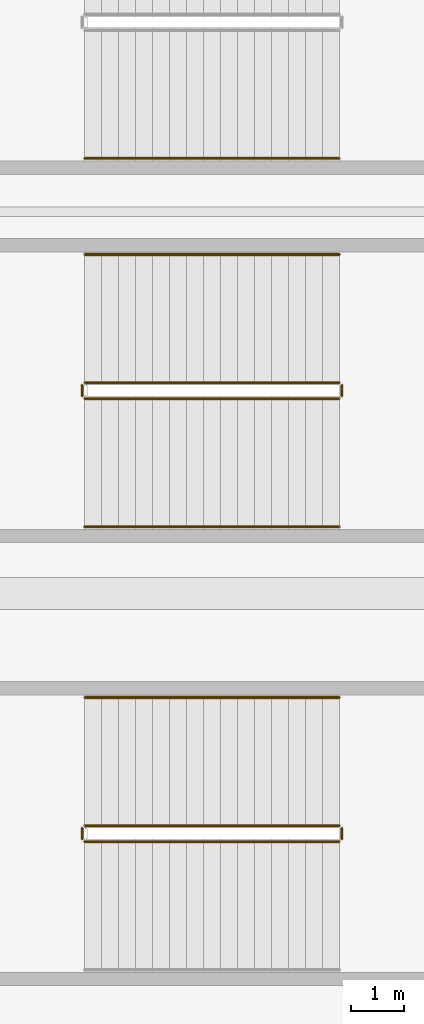
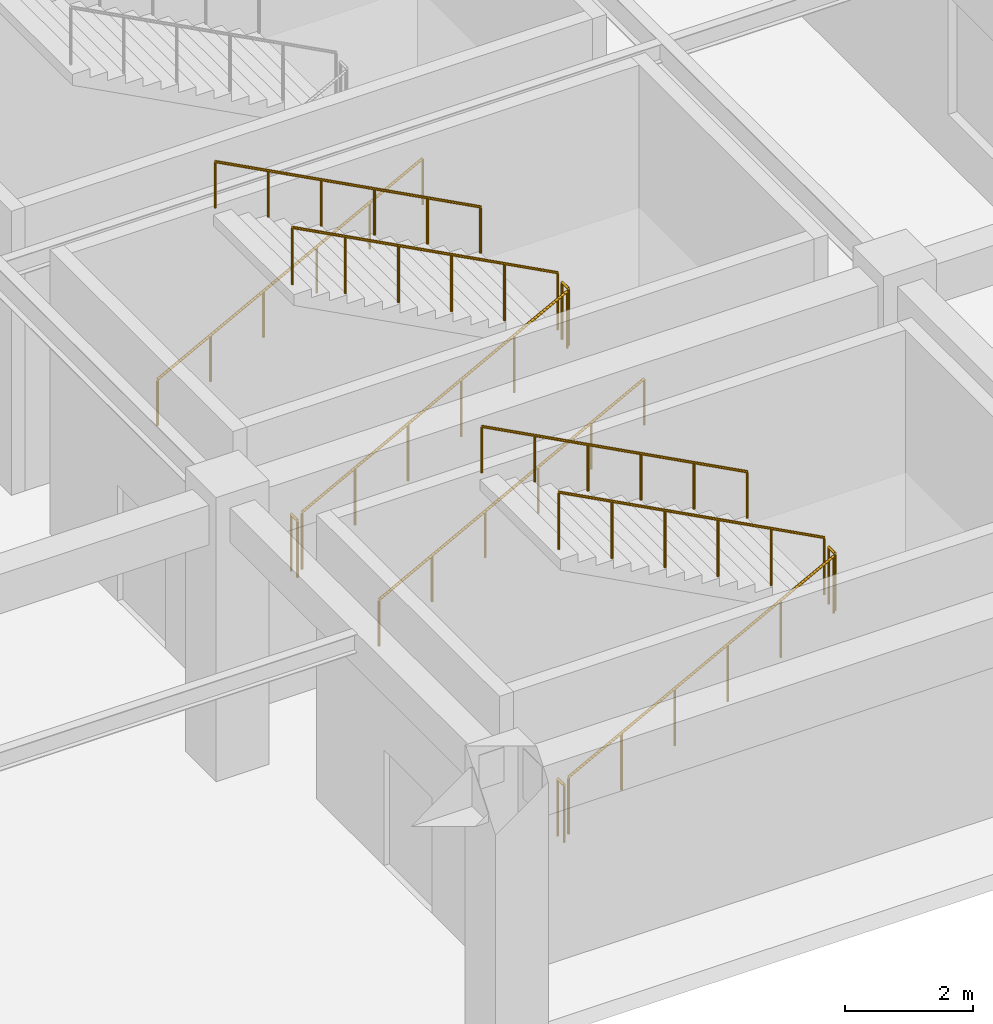
# One storey, part 113 of 120: 12 railings.
"""IFC4 building model written with IfcOpenShell, lengths in metres."""

from ifc_helpers import new_model, si_unit, direction, frame, origin, origin_2d, place, context, subcontext, project, spatial, circle, extrude, material, type_object, element, save


model = new_model("IFC4")

# Units and contexts
model_context = context("Model", 3, precision=1e-05, world=origin(), true_north=direction((0.0, 1.0)))
body_context = subcontext(model_context, "Body", "Model", "MODEL_VIEW")
ifc_project = project(units=[si_unit("LENGTHUNIT", "METRE"), si_unit("AREAUNIT", "SQUARE_METRE"), si_unit("VOLUMEUNIT", "CUBIC_METRE"), si_unit("PLANEANGLEUNIT", "RADIAN"), si_unit("MASSUNIT", "GRAM", prefix="KILO")], contexts=[model_context])

# Site, building, storey
site_placement = place(None, origin())
site = spatial("IfcSite", under=ifc_project, at=site_placement, CompositionType="ELEMENT")
building_placement = place(site_placement, origin())
building = spatial("IfcBuilding", under=site, at=building_placement, Name="Cuetzalor Civic Arena", CompositionType="ELEMENT")
storey_placement = place(building_placement, frame((0.0, 0.0, 6.0)))
storey = spatial("IfcBuildingStorey", under=building, at=storey_placement, Name="L01", CompositionType="ELEMENT", Elevation=6.0)

# Railings
ifc_material_1 = material(Name="Reseda-green architectural Steel S355 balustrade", Category="steel")
railing_type_1 = type_object("IfcRailingType", Name="InteriorVoidBalustrade_1100", PredefinedType="BALUSTRADE", material=ifc_material_1)
railing_1_placement = place(storey_placement, frame((67.449951171875, -52.949951171875, 0.168701171875)))
element("IfcRailing", 1, at=railing_1_placement, inside=storey, type_object=railing_type_1, Name="L01 ST-18 stair guard 1", PredefinedType="BALUSTRADE", context=body_context, shape_type="SweptSolid", body=[
    extrude(circle(Radius=0.02392578125, at=origin_2d()), frame((0.0, 0.0, 1.0810546875), z_axis=(0.883332211103, 0.0, 0.468747485143), x_axis=(0.0, 1.0, 0.0)), (0.0, 0.0, 1.0), 5.400146484375),
    extrude(circle(Radius=0.02099609375, at=origin_2d()), origin(), (0.0, 0.0, 1.0), 1.056884765625),
    extrude(circle(Radius=0.02099609375, at=origin_2d()), frame((0.9541015625, 0.0, 0.50634765625)), (0.0, 0.0, 1.0), 1.056884765625),
    extrude(circle(Radius=0.02099609375, at=origin_2d()), frame((1.907958984375, 0.0, 1.012451171875)), (0.0, 0.0, 1.0), 1.056884765625),
    extrude(circle(Radius=0.02099609375, at=origin_2d()), frame((2.862060546875, 0.0, 1.518798828125)), (0.0, 0.0, 1.0), 1.056884765625),
    extrude(circle(Radius=0.02099609375, at=origin_2d()), frame((3.81591796875, 0.0, 2.02490234375)), (0.0, 0.0, 1.0), 1.056884765625),
    extrude(circle(Radius=0.02099609375, at=origin_2d()), frame((4.77001953125, 0.0, 2.53125)), (0.0, 0.0, 1.0), 1.056884765625),
])
railing_2_placement = place(storey_placement, frame((72.27001953125, -52.89990234375, 2.699951171875)))
element("IfcRailing", 2, at=railing_2_placement, inside=storey, type_object=railing_type_1, Name="L01 ST-18 stair guard 2", PredefinedType="BALUSTRADE", context=body_context, shape_type="SweptSolid", body=[
    extrude(circle(Radius=0.02392578125, at=origin_2d()), frame((0.0, 0.0, 1.0810546875), z_axis=(0.0, 1.0, 0.0), x_axis=(-1.0, 0.0, 0.0)), (0.0, 0.0, 1.0), 0.199951171875),
    extrude(circle(Radius=0.02099609375, at=origin_2d()), origin(), (0.0, 0.0, 1.0), 1.056884765625),
    extrude(circle(Radius=0.02099609375, at=origin_2d()), frame((0.0, 0.199951171875, 0.0)), (0.0, 0.0, 1.0), 1.056884765625),
])
railing_3_placement = place(storey_placement, frame((72.219970703125, -52.64990234375, 2.86865234375)))
element("IfcRailing", 3, at=railing_3_placement, inside=storey, type_object=railing_type_1, Name="L01 ST-18 stair guard 3", PredefinedType="BALUSTRADE", context=body_context, shape_type="SweptSolid", body=[
    extrude(circle(Radius=0.02392578125, at=origin_2d()), frame((0.0, 0.0, 1.0810546875), z_axis=(-0.883332211103, 0.0, 0.468747485143), x_axis=(0.0, -1.0, 0.0)), (0.0, 0.0, 1.0), 5.400146484375),
    extrude(circle(Radius=0.02099609375, at=origin_2d()), origin(), (0.0, 0.0, 1.0), 1.056884765625),
    extrude(circle(Radius=0.02099609375, at=origin_2d()), frame((-0.9541015625, 0.0, 0.50634765625)), (0.0, 0.0, 1.0), 1.056884765625),
    extrude(circle(Radius=0.02099609375, at=origin_2d()), frame((-1.907958984375, 0.0, 1.012451171875)), (0.0, 0.0, 1.0), 1.056884765625),
    extrude(circle(Radius=0.02099609375, at=origin_2d()), frame((-2.862060546875, 0.0, 1.518798828125)), (0.0, 0.0, 1.0), 1.056884765625),
    extrude(circle(Radius=0.02099609375, at=origin_2d()), frame((-3.81591796875, 0.0, 2.02490234375)), (0.0, 0.0, 1.0), 1.056884765625),
    extrude(circle(Radius=0.02099609375, at=origin_2d()), frame((-4.77001953125, 0.0, 2.53125)), (0.0, 0.0, 1.0), 1.056884765625),
])
railing_4_placement = place(storey_placement, frame((67.39990234375, -52.89990234375, 0.0)))
element("IfcRailing", 4, at=railing_4_placement, inside=storey, type_object=railing_type_1, Name="L01 ST-18 stair guard 4", PredefinedType="BALUSTRADE", context=body_context, shape_type="SweptSolid", body=[
    extrude(circle(Radius=0.02392578125, at=origin_2d()), frame((0.0, 0.0, 1.0810546875), z_axis=(0.0, 1.0, 0.0), x_axis=(-1.0, 0.0, 0.0)), (0.0, 0.0, 1.0), 0.199951171875),
    extrude(circle(Radius=0.02099609375, at=origin_2d()), origin(), (0.0, 0.0, 1.0), 1.056884765625),
    extrude(circle(Radius=0.02099609375, at=origin_2d()), frame((0.0, 0.199951171875, 0.0)), (0.0, 0.0, 1.0), 1.056884765625),
])
railing_5_placement = place(storey_placement, frame((67.449951171875, -44.64990234375, 0.168701171875)))
element("IfcRailing", 5, at=railing_5_placement, inside=storey, type_object=railing_type_1, Name="L01 ST-19 stair guard 1", PredefinedType="BALUSTRADE", context=body_context, shape_type="SweptSolid", body=[
    extrude(circle(Radius=0.02392578125, at=origin_2d()), frame((0.0, 0.0, 1.0810546875), z_axis=(0.883332211103, 0.0, 0.468747485143), x_axis=(0.0, 1.0, 0.0)), (0.0, 0.0, 1.0), 5.400146484375),
    extrude(circle(Radius=0.02099609375, at=origin_2d()), origin(), (0.0, 0.0, 1.0), 1.056884765625),
    extrude(circle(Radius=0.02099609375, at=origin_2d()), frame((0.9541015625, 0.0, 0.50634765625)), (0.0, 0.0, 1.0), 1.056884765625),
    extrude(circle(Radius=0.02099609375, at=origin_2d()), frame((1.907958984375, 0.0, 1.012451171875)), (0.0, 0.0, 1.0), 1.056884765625),
    extrude(circle(Radius=0.02099609375, at=origin_2d()), frame((2.862060546875, 0.0, 1.518798828125)), (0.0, 0.0, 1.0), 1.056884765625),
    extrude(circle(Radius=0.02099609375, at=origin_2d()), frame((3.81591796875, 0.0, 2.02490234375)), (0.0, 0.0, 1.0), 1.056884765625),
    extrude(circle(Radius=0.02099609375, at=origin_2d()), frame((4.77001953125, 0.0, 2.53125)), (0.0, 0.0, 1.0), 1.056884765625),
])
railing_6_placement = place(storey_placement, frame((72.27001953125, -44.60009765625, 2.699951171875)))
element("IfcRailing", 6, at=railing_6_placement, inside=storey, type_object=railing_type_1, Name="L01 ST-19 stair guard 2", PredefinedType="BALUSTRADE", context=body_context, shape_type="SweptSolid", body=[
    extrude(circle(Radius=0.02392578125, at=origin_2d()), frame((0.0, 0.0, 1.0810546875), z_axis=(0.0, 1.0, 0.0), x_axis=(-1.0, 0.0, 0.0)), (0.0, 0.0, 1.0), 0.2001953125),
    extrude(circle(Radius=0.02099609375, at=origin_2d()), origin(), (0.0, 0.0, 1.0), 1.056884765625),
    extrude(circle(Radius=0.02099609375, at=origin_2d()), frame((0.0, 0.2001953125, 0.0)), (0.0, 0.0, 1.0), 1.056884765625),
])
railing_7_placement = place(storey_placement, frame((72.219970703125, -44.35009765625, 2.86865234375)))
element("IfcRailing", 7, at=railing_7_placement, inside=storey, type_object=railing_type_1, Name="L01 ST-19 stair guard 3", PredefinedType="BALUSTRADE", context=body_context, shape_type="SweptSolid", body=[
    extrude(circle(Radius=0.02392578125, at=origin_2d()), frame((0.0, 0.0, 1.0810546875), z_axis=(-0.883332211103, 0.0, 0.468747485143), x_axis=(0.0, -1.0, 0.0)), (0.0, 0.0, 1.0), 5.400146484375),
    extrude(circle(Radius=0.02099609375, at=origin_2d()), origin(), (0.0, 0.0, 1.0), 1.056884765625),
    extrude(circle(Radius=0.02099609375, at=origin_2d()), frame((-0.9541015625, 0.0, 0.50634765625)), (0.0, 0.0, 1.0), 1.056884765625),
    extrude(circle(Radius=0.02099609375, at=origin_2d()), frame((-1.907958984375, 0.0, 1.012451171875)), (0.0, 0.0, 1.0), 1.056884765625),
    extrude(circle(Radius=0.02099609375, at=origin_2d()), frame((-2.862060546875, 0.0, 1.518798828125)), (0.0, 0.0, 1.0), 1.056884765625),
    extrude(circle(Radius=0.02099609375, at=origin_2d()), frame((-3.81591796875, 0.0, 2.02490234375)), (0.0, 0.0, 1.0), 1.056884765625),
    extrude(circle(Radius=0.02099609375, at=origin_2d()), frame((-4.77001953125, 0.0, 2.53125)), (0.0, 0.0, 1.0), 1.056884765625),
])
railing_8_placement = place(storey_placement, frame((67.39990234375, -44.60009765625, 0.0)))
element("IfcRailing", 8, at=railing_8_placement, inside=storey, type_object=railing_type_1, Name="L01 ST-19 stair guard 4", PredefinedType="BALUSTRADE", context=body_context, shape_type="SweptSolid", body=[
    extrude(circle(Radius=0.02392578125, at=origin_2d()), frame((0.0, 0.0, 1.0810546875), z_axis=(0.0, 1.0, 0.0), x_axis=(-1.0, 0.0, 0.0)), (0.0, 0.0, 1.0), 0.2001953125),
    extrude(circle(Radius=0.02099609375, at=origin_2d()), origin(), (0.0, 0.0, 1.0), 1.056884765625),
    extrude(circle(Radius=0.02099609375, at=origin_2d()), frame((0.0, 0.2001953125, 0.0)), (0.0, 0.0, 1.0), 1.056884765625),
])
ifc_material_2 = material(Name="Galvanised steel S355", Category="steel")
railing_type_2 = type_object("IfcRailingType", Name="StairPitchHandrail_900", PredefinedType="HANDRAIL", material=ifc_material_2)
railing_9_placement = place(storey_placement, frame((72.219970703125, -50.25, 2.86865234375)))
element("IfcRailing", 9, at=railing_9_placement, inside=storey, type_object=railing_type_2, Name="L01 ST-18 stair handrail 2", PredefinedType="HANDRAIL", context=body_context, shape_type="SweptSolid", body=[
    extrude(circle(Radius=0.02392578125, at=origin_2d()), frame((0.0, 0.0, 0.8759765625), z_axis=(-0.883332211103, 0.0, 0.468747485143), x_axis=(0.0, -1.0, 0.0)), (0.0, 0.0, 1.0), 5.400146484375),
    extrude(circle(Radius=0.02099609375, at=origin_2d()), origin(), (0.0, 0.0, 1.0), 0.851806640625),
    extrude(circle(Radius=0.02099609375, at=origin_2d()), frame((-0.9541015625, 0.0, 0.50634765625)), (0.0, 0.0, 1.0), 0.851806640625),
    extrude(circle(Radius=0.02099609375, at=origin_2d()), frame((-1.907958984375, 0.0, 1.012451171875)), (0.0, 0.0, 1.0), 0.851806640625),
    extrude(circle(Radius=0.02099609375, at=origin_2d()), frame((-2.862060546875, 0.0, 1.518798828125)), (0.0, 0.0, 1.0), 0.851806640625),
    extrude(circle(Radius=0.02099609375, at=origin_2d()), frame((-3.81591796875, 0.0, 2.02490234375)), (0.0, 0.0, 1.0), 0.851806640625),
    extrude(circle(Radius=0.02099609375, at=origin_2d()), frame((-4.77001953125, 0.0, 2.53125)), (0.0, 0.0, 1.0), 0.851806640625),
])
railing_10_placement = place(storey_placement, frame((67.449951171875, -47.050048828125, 0.168701171875)))
element("IfcRailing", 10, at=railing_10_placement, inside=storey, type_object=railing_type_2, Name="L01 ST-19 stair handrail 1", PredefinedType="HANDRAIL", context=body_context, shape_type="SweptSolid", body=[
    extrude(circle(Radius=0.02392578125, at=origin_2d()), frame((0.0, 0.0, 0.8759765625), z_axis=(0.883332211103, 0.0, 0.468747485143), x_axis=(0.0, 1.0, 0.0)), (0.0, 0.0, 1.0), 5.400146484375),
    extrude(circle(Radius=0.02099609375, at=origin_2d()), origin(), (0.0, 0.0, 1.0), 0.851806640625),
    extrude(circle(Radius=0.02099609375, at=origin_2d()), frame((0.9541015625, 0.0, 0.50634765625)), (0.0, 0.0, 1.0), 0.851806640625),
    extrude(circle(Radius=0.02099609375, at=origin_2d()), frame((1.907958984375, 0.0, 1.012451171875)), (0.0, 0.0, 1.0), 0.851806640625),
    extrude(circle(Radius=0.02099609375, at=origin_2d()), frame((2.862060546875, 0.0, 1.518798828125)), (0.0, 0.0, 1.0), 0.851806640625),
    extrude(circle(Radius=0.02099609375, at=origin_2d()), frame((3.81591796875, 0.0, 2.02490234375)), (0.0, 0.0, 1.0), 0.851806640625),
    extrude(circle(Radius=0.02099609375, at=origin_2d()), frame((4.77001953125, 0.0, 2.53125)), (0.0, 0.0, 1.0), 0.851806640625),
])
railing_11_placement = place(storey_placement, frame((72.219970703125, -41.949951171875, 2.86865234375)))
element("IfcRailing", 11, at=railing_11_placement, inside=storey, type_object=railing_type_2, Name="L01 ST-19 stair handrail 2", PredefinedType="HANDRAIL", context=body_context, shape_type="SweptSolid", body=[
    extrude(circle(Radius=0.02392578125, at=origin_2d()), frame((0.0, 0.0, 0.8759765625), z_axis=(-0.883332211103, 0.0, 0.468747485143), x_axis=(0.0, -1.0, 0.0)), (0.0, 0.0, 1.0), 5.400146484375),
    extrude(circle(Radius=0.02099609375, at=origin_2d()), origin(), (0.0, 0.0, 1.0), 0.851806640625),
    extrude(circle(Radius=0.02099609375, at=origin_2d()), frame((-0.9541015625, 0.0, 0.50634765625)), (0.0, 0.0, 1.0), 0.851806640625),
    extrude(circle(Radius=0.02099609375, at=origin_2d()), frame((-1.907958984375, 0.0, 1.012451171875)), (0.0, 0.0, 1.0), 0.851806640625),
    extrude(circle(Radius=0.02099609375, at=origin_2d()), frame((-2.862060546875, 0.0, 1.518798828125)), (0.0, 0.0, 1.0), 0.851806640625),
    extrude(circle(Radius=0.02099609375, at=origin_2d()), frame((-3.81591796875, 0.0, 2.02490234375)), (0.0, 0.0, 1.0), 0.851806640625),
    extrude(circle(Radius=0.02099609375, at=origin_2d()), frame((-4.77001953125, 0.0, 2.53125)), (0.0, 0.0, 1.0), 0.851806640625),
])
railing_12_placement = place(storey_placement, frame((67.449951171875, -40.14990234375, 0.168701171875)))
element("IfcRailing", 12, at=railing_12_placement, inside=storey, type_object=railing_type_2, Name="L01 ST-20 stair handrail 1", PredefinedType="HANDRAIL", context=body_context, shape_type="SweptSolid", body=[
    extrude(circle(Radius=0.02392578125, at=origin_2d()), frame((0.0, 0.0, 0.8759765625), z_axis=(0.883332211103, 0.0, 0.468747485143), x_axis=(0.0, 1.0, 0.0)), (0.0, 0.0, 1.0), 5.400146484375),
    extrude(circle(Radius=0.02099609375, at=origin_2d()), origin(), (0.0, 0.0, 1.0), 0.851806640625),
    extrude(circle(Radius=0.02099609375, at=origin_2d()), frame((0.9541015625, 0.0, 0.50634765625)), (0.0, 0.0, 1.0), 0.851806640625),
    extrude(circle(Radius=0.02099609375, at=origin_2d()), frame((1.907958984375, 0.0, 1.012451171875)), (0.0, 0.0, 1.0), 0.851806640625),
    extrude(circle(Radius=0.02099609375, at=origin_2d()), frame((2.862060546875, 0.0, 1.518798828125)), (0.0, 0.0, 1.0), 0.851806640625),
    extrude(circle(Radius=0.02099609375, at=origin_2d()), frame((3.81591796875, 0.0, 2.02490234375)), (0.0, 0.0, 1.0), 0.851806640625),
    extrude(circle(Radius=0.02099609375, at=origin_2d()), frame((4.77001953125, 0.0, 2.53125)), (0.0, 0.0, 1.0), 0.851806640625),
])

save(model, "model.ifc")
